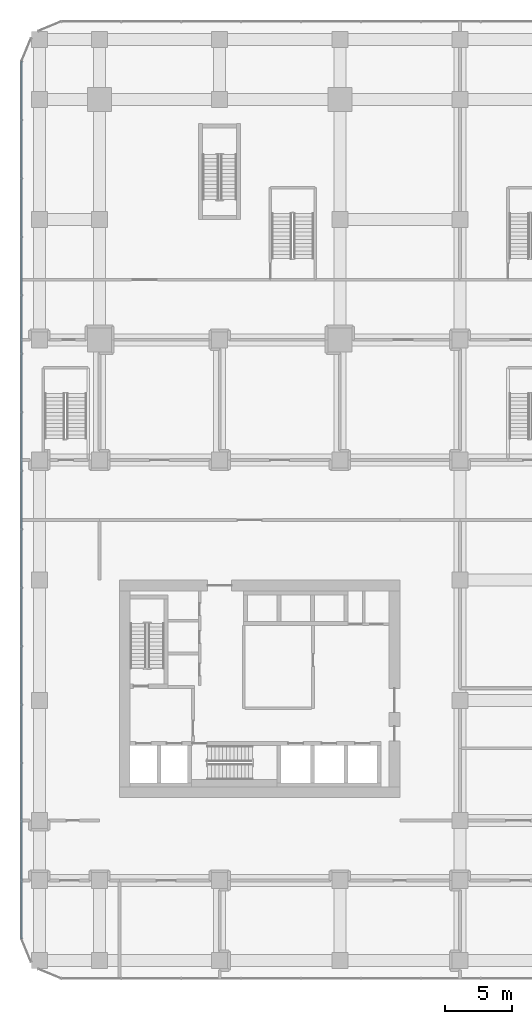
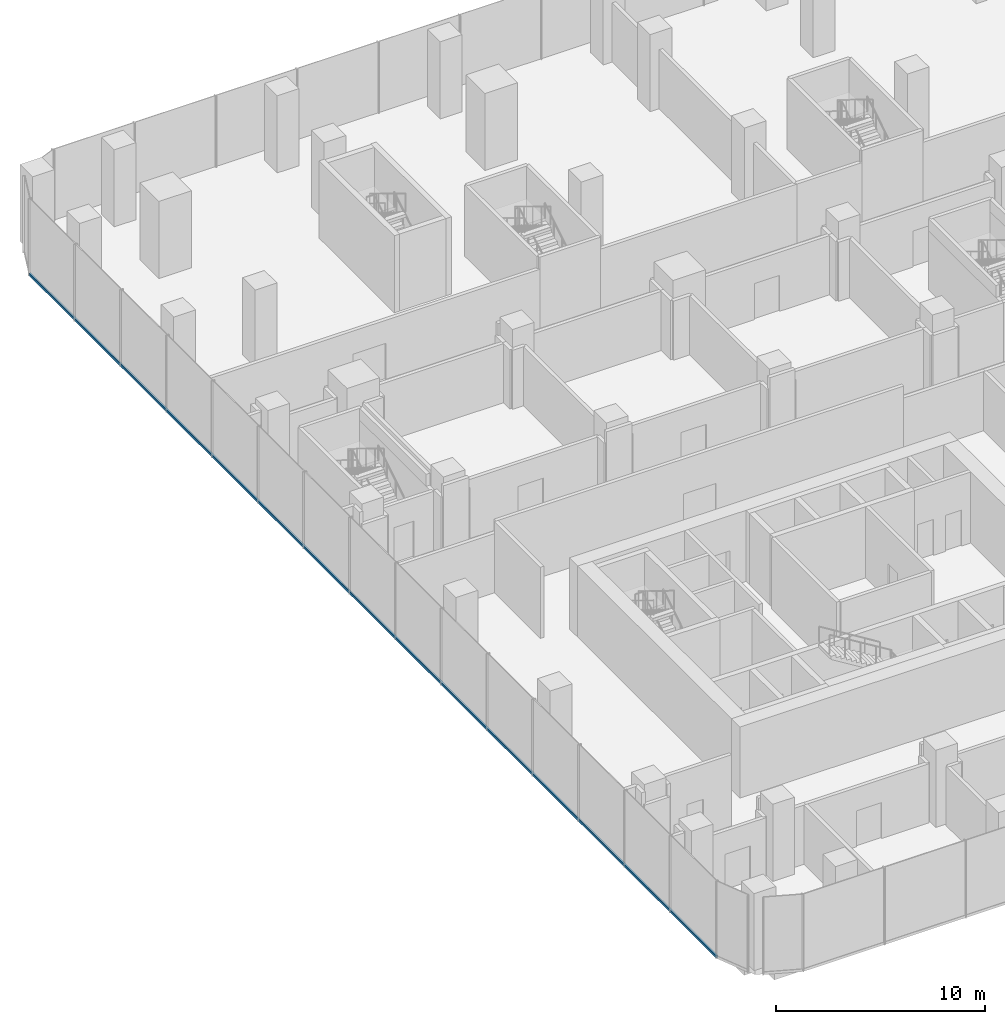
# One storey, part 9 of 43: 1 member, 1 element without a shape of its own.
"""IFC4 building model written with IfcOpenShell, lengths in metres."""

import ifcopenshell
import ifcopenshell.guid

model = None  # the IFC model being written
_history = None  # IfcOwnerHistory: only IFC2X3 demands one
_inside = {}  # id of a spatial element -> (the spatial element, [elements in it])
_under = {}  # id of a project, library or spatial element -> (it, [spatial elements below it])
_declared = {}  # id of a project -> (the project, [libraries it declares])
_typed = {}  # id of a type object -> (the type object, [elements of that type])
_made_of = {}  # id of a material, layer set ... -> (it, [elements and type objects made of it])


def new_model(schema):
    """Start an empty IFC model of exactly this schema.

    Asked for "IFC4X3", IfcOpenShell would pick the latest addendum, in which some entities
    have other attributes; the version numbers below select the first issue.
    IFC2X3 requires an IfcOwnerHistory on every rooted entity: one is made here for all.
    """
    global model, _history
    if schema == "IFC4X3":
        model = ifcopenshell.file(schema_version=(4, 3, 0, 0))
    else:
        model = ifcopenshell.file(schema=schema)
    _inside.clear()
    _under.clear()
    _declared.clear()
    _typed.clear()
    _made_of.clear()
    _history = None
    if model.schema == "IFC2X3":
        org = make("IfcOrganization", Name="unknown")
        user = make(
            "IfcPersonAndOrganization",
            ThePerson=make("IfcPerson", FamilyName="unknown"),
            TheOrganization=org,
        )
        app = make(
            "IfcApplication",
            ApplicationDeveloper=org,
            Version="unknown",
            ApplicationFullName="unknown",
            ApplicationIdentifier="unknown",
        )
        _history = make(
            "IfcOwnerHistory",
            OwningUser=user,
            OwningApplication=app,
            ChangeAction="ADDED",
            CreationDate=0,
        )
    return model


def make(cls, **values):
    """One entity of the class cls with the attributes given. An attribute that is None is left unset."""
    return model.create_entity(
        cls, **{name: value for name, value in values.items() if value is not None}
    )


def rooted(cls, **values):
    """An entity with a GlobalId (a new one), such as an element, a storey or a relation."""
    return make(cls, GlobalId=ifcopenshell.guid.new(), OwnerHistory=_history, **values)


def si_unit(unit_type, name, prefix=None):
    """IfcSIUnit, for example si_unit("LENGTHUNIT", "METRE", prefix="MILLI")."""
    return make("IfcSIUnit", UnitType=unit_type, Prefix=prefix, Name=name)


def assignment(units):
    """IfcUnitAssignment: the units of a project."""
    return None if units is None else make("IfcUnitAssignment", Units=units)


def point(xyz):
    """IfcCartesianPoint."""
    return None if xyz is None else make("IfcCartesianPoint", Coordinates=xyz)


def direction(xyz):
    """IfcDirection."""
    return None if xyz is None else make("IfcDirection", DirectionRatios=xyz)


def frame(location, z_axis=None, x_axis=None):
    """IfcAxis2Placement3D, a coordinate frame: its origin and axes. An axis left out is left unset."""
    return make(
        "IfcAxis2Placement3D",
        Location=point(location),
        Axis=direction(z_axis),
        RefDirection=direction(x_axis),
    )


def frame_2d(location, x_axis=None):
    """IfcAxis2Placement2D, a coordinate frame in the plane: its origin and x axis."""
    return make(
        "IfcAxis2Placement2D", Location=point(location), RefDirection=direction(x_axis)
    )


def origin():
    """The frame at (0, 0, 0) with its axes left unset."""
    return frame((0.0, 0.0, 0.0))


def origin_2d():
    """The frame at (0, 0) in the plane with its x axis left unset."""
    return frame_2d((0.0, 0.0))


def place(relative_to, where):
    """IfcLocalPlacement: puts the frame where relative to a parent placement (None: the world)."""
    return make(
        "IfcLocalPlacement", PlacementRelTo=relative_to, RelativePlacement=where
    )


def context(
    kind, dimensions, precision=None, world=None, true_north=None, identifier=None
):
    """IfcGeometricRepresentationContext, for example the 3D "Model" context."""
    return make(
        "IfcGeometricRepresentationContext",
        ContextIdentifier=identifier,
        ContextType=kind,
        CoordinateSpaceDimension=dimensions,
        Precision=precision,
        WorldCoordinateSystem=world,
        TrueNorth=true_north,
    )


def subcontext(parent, identifier, kind, view, scale=None):
    """IfcGeometricRepresentationSubContext, for example "Body" below "Model"."""
    return make(
        "IfcGeometricRepresentationSubContext",
        ContextIdentifier=identifier,
        ContextType=kind,
        ParentContext=parent,
        TargetScale=scale,
        TargetView=view,
    )


def project(units=None, contexts=None):
    """IfcProject with its units and contexts."""
    return rooted(
        "IfcProject",
        Name="project",
        RepresentationContexts=contexts,
        UnitsInContext=assignment(units),
    )


def spatial(cls, under=None, at=None, **own):
    """A site, building, storey or space (cls), placed at a placement, below another one or the project."""
    s = rooted(cls, ObjectPlacement=at, **own)
    if under is not None:
        _under.setdefault(under.id(), (under, []))[1].append(s)
    return s


def profile(cls, at=None, kind="AREA", **sizes):
    """A parametric profile (cls). Its sizes go by their IFC names, for example OverallWidth=200.0."""
    return make(cls, ProfileType=kind, Position=at, **sizes)


def rectangle(**sizes):
    """IfcRectangleProfileDef."""
    return profile("IfcRectangleProfileDef", **sizes)


def extrude(swept, where, along, depth):
    """IfcExtrudedAreaSolid: the profile swept, set in the frame where, extruded along a direction by depth."""
    return make(
        "IfcExtrudedAreaSolid",
        SweptArea=swept,
        Position=where,
        ExtrudedDirection=direction(along),
        Depth=depth,
    )


def shape(context_of_items, identifier, shape_type, items):
    """IfcShapeRepresentation: the items that make up one representation, for example the "Body"."""
    return make(
        "IfcShapeRepresentation",
        ContextOfItems=context_of_items,
        RepresentationIdentifier=identifier,
        RepresentationType=shape_type,
        Items=items,
    )


def material(Name=None, Category=None):
    """IfcMaterial."""
    return make("IfcMaterial", Name=Name, Category=Category)


def layer(
    of_material, thickness, ventilated=None, Name=None, Category=None, Priority=None
):
    """IfcMaterialLayer: one layer of a wall or slab, of a material (None: an air gap)."""
    return make(
        "IfcMaterialLayer",
        Material=of_material,
        LayerThickness=thickness,
        IsVentilated=ventilated,
        Name=Name,
        Category=Category,
        Priority=Priority,
    )


def layer_set(layers, Name=None):
    """IfcMaterialLayerSet."""
    return make("IfcMaterialLayerSet", MaterialLayers=layers, LayerSetName=Name)


def material_profile(
    of_material, cross_section, Name=None, Category=None, Priority=None
):
    """IfcMaterialProfile: a cross section and its material."""
    return make(
        "IfcMaterialProfile",
        Name=Name,
        Material=of_material,
        Profile=cross_section,
        Priority=Priority,
        Category=Category,
    )


def profile_set(profiles, Name=None, composite=None):
    """IfcMaterialProfileSet."""
    return make(
        "IfcMaterialProfileSet",
        Name=Name,
        MaterialProfiles=profiles,
        CompositeProfile=composite,
    )


def made_of(thing, what):
    """Note that an element or type object is made of a material, layer set ...; save() writes the relation."""
    if what is not None:
        _made_of.setdefault(what.id(), (what, []))[1].append(thing)
    return thing


def type_object(cls, material=None, **own):
    """A type object (cls), such as IfcWallType, which elements share."""
    return made_of(rooted(cls, **own), material)


def element(
    cls,
    number,
    at=None,
    inside=None,
    cuts=None,
    type_object=None,
    material=None,
    context=None,
    identifier="Body",
    shape_type=None,
    held_by="IfcProductDefinitionShape",
    body=None,
    shapes=None,
    **own,
):
    """One element of the class cls, such as IfcWall. Its Tag is "e" and its number.

    at: its placement. inside: the storey or other place that contains it. cuts: it is an
    opening in that element (IfcRelVoidsElement). A single representation is given by context,
    identifier, shape_type and body (its items); several are given by shapes. held_by: the class
    of the entity that holds the representations. save() writes the other relations.
    """
    e = rooted(cls, Tag="e%d" % number, ObjectPlacement=at, **own)
    if body is not None:
        shapes = [shape(context, identifier, shape_type, body)]
    if shapes is not None:
        e.Representation = make(held_by, Representations=shapes)
    if inside is not None:
        _inside.setdefault(inside.id(), (inside, []))[1].append(e)
    if cuts is not None:
        rooted(
            "IfcRelVoidsElement", RelatingBuildingElement=cuts, RelatedOpeningElement=e
        )
    if type_object is not None:
        _typed.setdefault(type_object.id(), (type_object, []))[1].append(e)
    return made_of(e, material)


def aggregate(whole, parts):
    """IfcRelAggregates: a whole, such as a stair, and the parts it consists of."""
    return rooted("IfcRelAggregates", RelatingObject=whole, RelatedObjects=parts)


def save(model, path):
    """Write the relations noted so far, then the file.

    IfcRelAggregates (storeys below a building ...), IfcRelContainedInSpatialStructure (elements
    in a storey), IfcRelDefinesByType, IfcRelAssociatesMaterial and IfcRelDeclares: one each for
    every whole, place, type object, material and project.
    """
    for whole, parts in _under.values():
        aggregate(whole, parts)
    for where, things in _inside.values():
        rooted(
            "IfcRelContainedInSpatialStructure",
            RelatedElements=things,
            RelatingStructure=where,
        )
    for kind, things in _typed.values():
        rooted("IfcRelDefinesByType", RelatedObjects=things, RelatingType=kind)
    for what, things in _made_of.values():
        rooted("IfcRelAssociatesMaterial", RelatedObjects=things, RelatingMaterial=what)
    for by, libraries in _declared.values():
        rooted("IfcRelDeclares", RelatingContext=by, RelatedDefinitions=libraries)
    model.write(path)


model = new_model("IFC4")

# Units and contexts
model_context = context("Model", 3, precision=1e-05, world=origin(), true_north=direction((0.0, 1.0)))
body_context = subcontext(model_context, "Body", "Model", "MODEL_VIEW")
ifc_project = project(units=[si_unit("LENGTHUNIT", "METRE"), si_unit("AREAUNIT", "SQUARE_METRE"), si_unit("VOLUMEUNIT", "CUBIC_METRE"), si_unit("PLANEANGLEUNIT", "RADIAN"), si_unit("MASSUNIT", "GRAM", prefix="KILO")], contexts=[model_context])

# Site, building, storey
site_placement = place(None, origin())
site = spatial("IfcSite", under=ifc_project, at=site_placement, CompositionType="ELEMENT")
building_placement = place(site_placement, origin())
building = spatial("IfcBuilding", under=site, at=building_placement, Name="Plateau Cross Towers", CompositionType="ELEMENT")
storey_placement = place(building_placement, frame((0.0, 0.0, 12.800048828125)))
storey = spatial("IfcBuildingStorey", under=building, at=storey_placement, Name="L02", CompositionType="ELEMENT", Elevation=12.800048828125)

# Curtain wall, member
ifc_material_1 = material(Name="Dark low-iron laminated glass", Category="glass")
ifc_layer = layer(ifc_material_1, 0.300048828125)
ifc_layer_set = layer_set([ifc_layer], Name="Dark low-iron laminated glass")
curtain_wall_type = type_object("IfcCurtainWallType", Name="Curtain wall structural silicone CW-C", PredefinedType="NOTDEFINED", material=ifc_layer_set)
curtain_wall_placement = place(storey_placement, origin())
curtain_wall = element("IfcCurtainWall", 1, at=curtain_wall_placement, inside=storey, type_object=curtain_wall_type, Name="ENV/P/L02/P-58_568", PredefinedType="NOTDEFINED")
ifc_material_2 = material(Name="Black anodised aluminium", Category="aluminium")
ifc_material_profile = material_profile(ifc_material_2, rectangle(XDim=0.10009765625, YDim=0.14990234375, at=origin_2d()), Name="TRANSOM 100x150")
ifc_profile_set = profile_set([ifc_material_profile], Name="Black anodised aluminium")
member_type = type_object("IfcMemberType", Name="Transom 100x150 structural silicone", PredefinedType="USERDEFINED", material=ifc_profile_set)
member_placement = place(storey_placement, frame((-5.85009765625, 56.85009765625, -0.275146484375), z_axis=(0.0, -1.0, 0.0), x_axis=(1.0, 0.0, 0.0)))
member = element("IfcMember", 2, at=member_placement, type_object=member_type, Name="CW-C transom", ObjectType="TRANSOM", PredefinedType="USERDEFINED", context=body_context, shape_type="SweptSolid", body=[
    extrude(rectangle(XDim=0.10009765625, YDim=0.14990234375, at=origin_2d()), origin(), (0.0, 0.0, 1.0), 65.7001953125),
])
aggregate(curtain_wall, [member])

save(model, "model.ifc")
